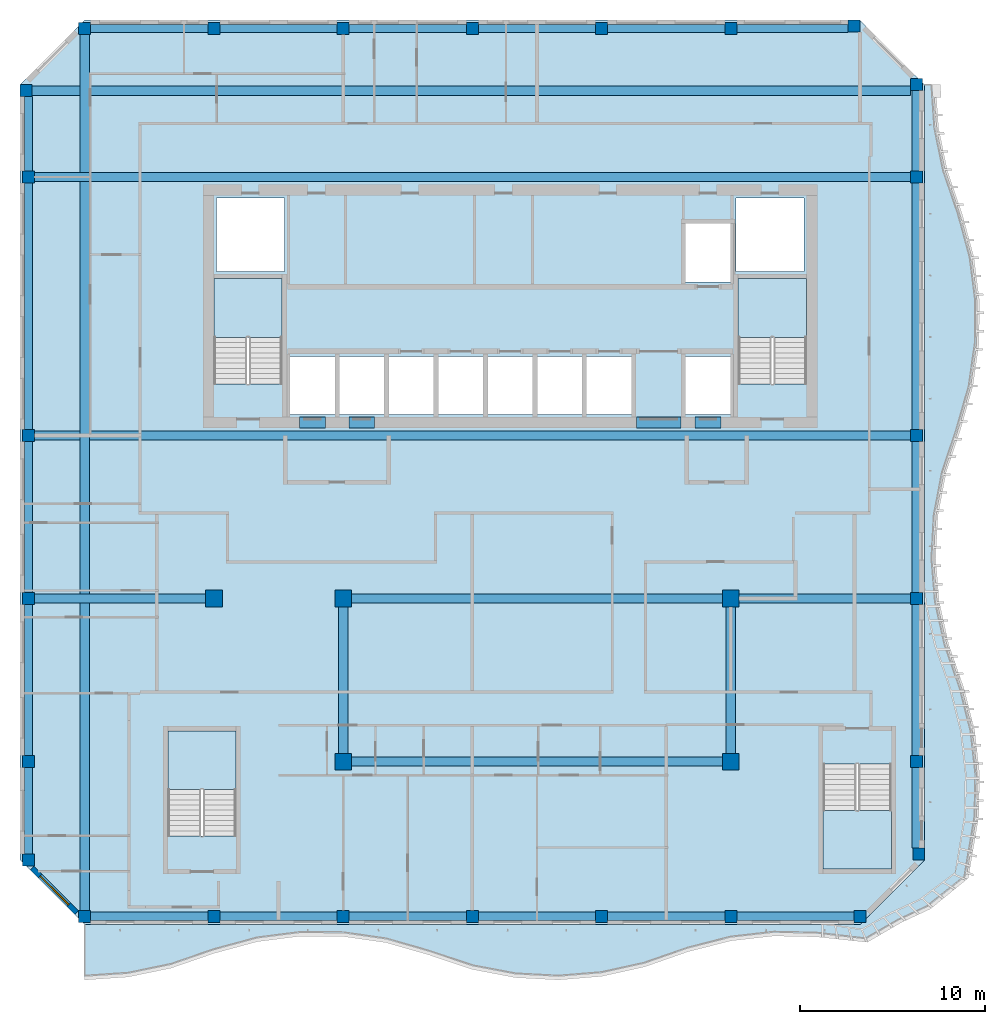
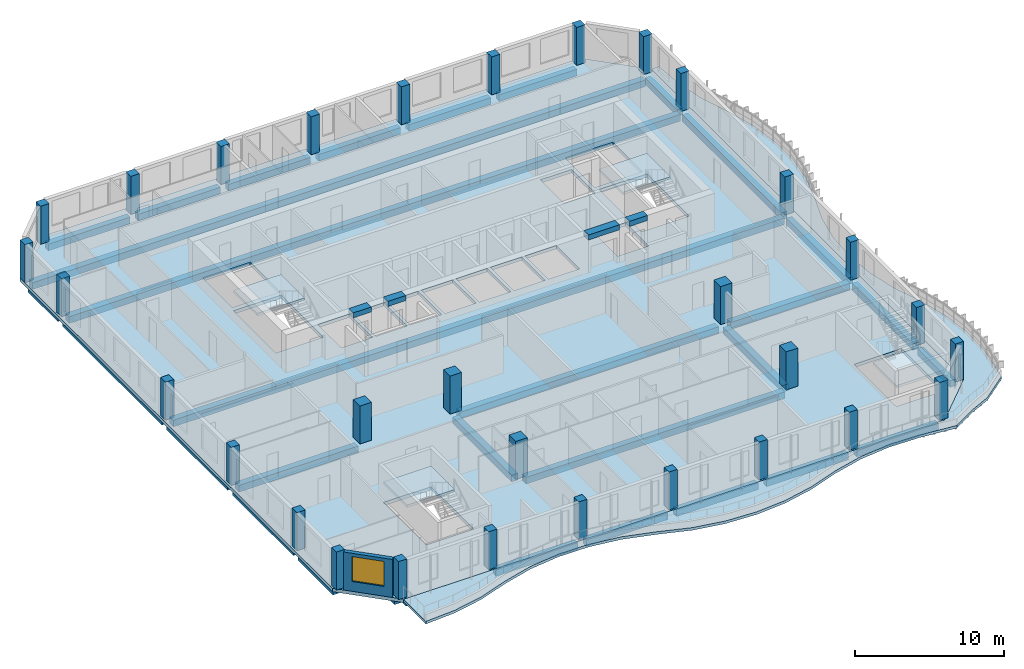
# One storey, part 1 of 18: 36 beams, 31 columns, 6 slabs, 1 wall, 1 window, 1 opening, 4 elements without a shape of their own.
"""IFC4 building model written with IfcOpenShell, lengths in metres."""

import ifcopenshell
import ifcopenshell.guid

model = None  # the IFC model being written
_history = None  # IfcOwnerHistory: only IFC2X3 demands one
_inside = {}  # id of a spatial element -> (the spatial element, [elements in it])
_under = {}  # id of a project, library or spatial element -> (it, [spatial elements below it])
_declared = {}  # id of a project -> (the project, [libraries it declares])
_typed = {}  # id of a type object -> (the type object, [elements of that type])
_made_of = {}  # id of a material, layer set ... -> (it, [elements and type objects made of it])


def new_model(schema):
    """Start an empty IFC model of exactly this schema.

    Asked for "IFC4X3", IfcOpenShell would pick the latest addendum, in which some entities
    have other attributes; the version numbers below select the first issue.
    IFC2X3 requires an IfcOwnerHistory on every rooted entity: one is made here for all.
    """
    global model, _history
    if schema == "IFC4X3":
        model = ifcopenshell.file(schema_version=(4, 3, 0, 0))
    else:
        model = ifcopenshell.file(schema=schema)
    _inside.clear()
    _under.clear()
    _declared.clear()
    _typed.clear()
    _made_of.clear()
    _history = None
    if model.schema == "IFC2X3":
        org = make("IfcOrganization", Name="unknown")
        user = make(
            "IfcPersonAndOrganization",
            ThePerson=make("IfcPerson", FamilyName="unknown"),
            TheOrganization=org,
        )
        app = make(
            "IfcApplication",
            ApplicationDeveloper=org,
            Version="unknown",
            ApplicationFullName="unknown",
            ApplicationIdentifier="unknown",
        )
        _history = make(
            "IfcOwnerHistory",
            OwningUser=user,
            OwningApplication=app,
            ChangeAction="ADDED",
            CreationDate=0,
        )
    return model


def make(cls, **values):
    """One entity of the class cls with the attributes given. An attribute that is None is left unset."""
    return model.create_entity(
        cls, **{name: value for name, value in values.items() if value is not None}
    )


def rooted(cls, **values):
    """An entity with a GlobalId (a new one), such as an element, a storey or a relation."""
    return make(cls, GlobalId=ifcopenshell.guid.new(), OwnerHistory=_history, **values)


def si_unit(unit_type, name, prefix=None):
    """IfcSIUnit, for example si_unit("LENGTHUNIT", "METRE", prefix="MILLI")."""
    return make("IfcSIUnit", UnitType=unit_type, Prefix=prefix, Name=name)


def assignment(units):
    """IfcUnitAssignment: the units of a project."""
    return None if units is None else make("IfcUnitAssignment", Units=units)


def point(xyz):
    """IfcCartesianPoint."""
    return None if xyz is None else make("IfcCartesianPoint", Coordinates=xyz)


def direction(xyz):
    """IfcDirection."""
    return None if xyz is None else make("IfcDirection", DirectionRatios=xyz)


def frame(location, z_axis=None, x_axis=None):
    """IfcAxis2Placement3D, a coordinate frame: its origin and axes. An axis left out is left unset."""
    return make(
        "IfcAxis2Placement3D",
        Location=point(location),
        Axis=direction(z_axis),
        RefDirection=direction(x_axis),
    )


def frame_2d(location, x_axis=None):
    """IfcAxis2Placement2D, a coordinate frame in the plane: its origin and x axis."""
    return make(
        "IfcAxis2Placement2D", Location=point(location), RefDirection=direction(x_axis)
    )


def origin():
    """The frame at (0, 0, 0) with its axes left unset."""
    return frame((0.0, 0.0, 0.0))


def origin_2d():
    """The frame at (0, 0) in the plane with its x axis left unset."""
    return frame_2d((0.0, 0.0))


def place(relative_to, where):
    """IfcLocalPlacement: puts the frame where relative to a parent placement (None: the world)."""
    return make(
        "IfcLocalPlacement", PlacementRelTo=relative_to, RelativePlacement=where
    )


def context(
    kind, dimensions, precision=None, world=None, true_north=None, identifier=None
):
    """IfcGeometricRepresentationContext, for example the 3D "Model" context."""
    return make(
        "IfcGeometricRepresentationContext",
        ContextIdentifier=identifier,
        ContextType=kind,
        CoordinateSpaceDimension=dimensions,
        Precision=precision,
        WorldCoordinateSystem=world,
        TrueNorth=true_north,
    )


def subcontext(parent, identifier, kind, view, scale=None):
    """IfcGeometricRepresentationSubContext, for example "Body" below "Model"."""
    return make(
        "IfcGeometricRepresentationSubContext",
        ContextIdentifier=identifier,
        ContextType=kind,
        ParentContext=parent,
        TargetScale=scale,
        TargetView=view,
    )


def project(units=None, contexts=None):
    """IfcProject with its units and contexts."""
    return rooted(
        "IfcProject",
        Name="project",
        RepresentationContexts=contexts,
        UnitsInContext=assignment(units),
    )


def spatial(cls, under=None, at=None, **own):
    """A site, building, storey or space (cls), placed at a placement, below another one or the project."""
    s = rooted(cls, ObjectPlacement=at, **own)
    if under is not None:
        _under.setdefault(under.id(), (under, []))[1].append(s)
    return s


def polyline(points):
    """IfcPolyline through the points."""
    return make("IfcPolyline", Points=[point(p) for p in points])


def profile(cls, at=None, kind="AREA", **sizes):
    """A parametric profile (cls). Its sizes go by their IFC names, for example OverallWidth=200.0."""
    return make(cls, ProfileType=kind, Position=at, **sizes)


def rectangle(**sizes):
    """IfcRectangleProfileDef."""
    return profile("IfcRectangleProfileDef", **sizes)


def outline(outer, holes=None, kind="AREA"):
    """IfcArbitraryClosedProfileDef: a profile drawn as a closed curve; with holes, ...WithVoids."""
    if holes is None:
        return make("IfcArbitraryClosedProfileDef", ProfileType=kind, OuterCurve=outer)
    return make(
        "IfcArbitraryProfileDefWithVoids",
        ProfileType=kind,
        OuterCurve=outer,
        InnerCurves=holes,
    )


def extrude(swept, where, along, depth):
    """IfcExtrudedAreaSolid: the profile swept, set in the frame where, extruded along a direction by depth."""
    return make(
        "IfcExtrudedAreaSolid",
        SweptArea=swept,
        Position=where,
        ExtrudedDirection=direction(along),
        Depth=depth,
    )


def shape(context_of_items, identifier, shape_type, items):
    """IfcShapeRepresentation: the items that make up one representation, for example the "Body"."""
    return make(
        "IfcShapeRepresentation",
        ContextOfItems=context_of_items,
        RepresentationIdentifier=identifier,
        RepresentationType=shape_type,
        Items=items,
    )


def source(mapping_origin, context_of_items, identifier, shape_type, items):
    """IfcRepresentationMap: a shape defined once, which mapped items show again and again."""
    return make(
        "IfcRepresentationMap",
        MappingOrigin=mapping_origin,
        MappedRepresentation=shape(context_of_items, identifier, shape_type, items),
    )


def transform(
    local_origin,
    x_axis=None,
    y_axis=None,
    z_axis=None,
    scale=None,
    scale2=None,
    scale3=None,
    uniform=True,
):
    """IfcCartesianTransformationOperator3D, or its non-uniform kind. x_axis, y_axis, z_axis: its Axis1, 2, 3."""
    if uniform:
        return make(
            "IfcCartesianTransformationOperator3D",
            Axis1=direction(x_axis),
            Axis2=direction(y_axis),
            LocalOrigin=point(local_origin),
            Scale=scale,
            Axis3=direction(z_axis),
        )
    return make(
        "IfcCartesianTransformationOperator3DnonUniform",
        Axis1=direction(x_axis),
        Axis2=direction(y_axis),
        LocalOrigin=point(local_origin),
        Scale=scale,
        Axis3=direction(z_axis),
        Scale2=scale2,
        Scale3=scale3,
    )


def mapped(mapping_source, mapping_target):
    """IfcMappedItem: shows the shape of a source again, moved by a transform."""
    return make(
        "IfcMappedItem", MappingSource=mapping_source, MappingTarget=mapping_target
    )


def material(Name=None, Category=None):
    """IfcMaterial."""
    return make("IfcMaterial", Name=Name, Category=Category)


def layer(
    of_material, thickness, ventilated=None, Name=None, Category=None, Priority=None
):
    """IfcMaterialLayer: one layer of a wall or slab, of a material (None: an air gap)."""
    return make(
        "IfcMaterialLayer",
        Material=of_material,
        LayerThickness=thickness,
        IsVentilated=ventilated,
        Name=Name,
        Category=Category,
        Priority=Priority,
    )


def layer_set(layers, Name=None):
    """IfcMaterialLayerSet."""
    return make("IfcMaterialLayerSet", MaterialLayers=layers, LayerSetName=Name)


def material_profile(
    of_material, cross_section, Name=None, Category=None, Priority=None
):
    """IfcMaterialProfile: a cross section and its material."""
    return make(
        "IfcMaterialProfile",
        Name=Name,
        Material=of_material,
        Profile=cross_section,
        Priority=Priority,
        Category=Category,
    )


def profile_set(profiles, Name=None, composite=None):
    """IfcMaterialProfileSet."""
    return make(
        "IfcMaterialProfileSet",
        Name=Name,
        MaterialProfiles=profiles,
        CompositeProfile=composite,
    )


def made_of(thing, what):
    """Note that an element or type object is made of a material, layer set ...; save() writes the relation."""
    if what is not None:
        _made_of.setdefault(what.id(), (what, []))[1].append(thing)
    return thing


def type_object(cls, material=None, **own):
    """A type object (cls), such as IfcWallType, which elements share."""
    return made_of(rooted(cls, **own), material)


def element(
    cls,
    number,
    at=None,
    inside=None,
    cuts=None,
    type_object=None,
    material=None,
    context=None,
    identifier="Body",
    shape_type=None,
    held_by="IfcProductDefinitionShape",
    body=None,
    shapes=None,
    **own,
):
    """One element of the class cls, such as IfcWall. Its Tag is "e" and its number.

    at: its placement. inside: the storey or other place that contains it. cuts: it is an
    opening in that element (IfcRelVoidsElement). A single representation is given by context,
    identifier, shape_type and body (its items); several are given by shapes. held_by: the class
    of the entity that holds the representations. save() writes the other relations.
    """
    e = rooted(cls, Tag="e%d" % number, ObjectPlacement=at, **own)
    if body is not None:
        shapes = [shape(context, identifier, shape_type, body)]
    if shapes is not None:
        e.Representation = make(held_by, Representations=shapes)
    if inside is not None:
        _inside.setdefault(inside.id(), (inside, []))[1].append(e)
    if cuts is not None:
        rooted(
            "IfcRelVoidsElement", RelatingBuildingElement=cuts, RelatedOpeningElement=e
        )
    if type_object is not None:
        _typed.setdefault(type_object.id(), (type_object, []))[1].append(e)
    return made_of(e, material)


def fill(opening, filler):
    """IfcRelFillsElement: the door or window that sits in an opening."""
    return rooted(
        "IfcRelFillsElement",
        RelatingOpeningElement=opening,
        RelatedBuildingElement=filler,
    )


def aggregate(whole, parts):
    """IfcRelAggregates: a whole, such as a stair, and the parts it consists of."""
    return rooted("IfcRelAggregates", RelatingObject=whole, RelatedObjects=parts)


def save(model, path):
    """Write the relations noted so far, then the file.

    IfcRelAggregates (storeys below a building ...), IfcRelContainedInSpatialStructure (elements
    in a storey), IfcRelDefinesByType, IfcRelAssociatesMaterial and IfcRelDeclares: one each for
    every whole, place, type object, material and project.
    """
    for whole, parts in _under.values():
        aggregate(whole, parts)
    for where, things in _inside.values():
        rooted(
            "IfcRelContainedInSpatialStructure",
            RelatedElements=things,
            RelatingStructure=where,
        )
    for kind, things in _typed.values():
        rooted("IfcRelDefinesByType", RelatedObjects=things, RelatingType=kind)
    for what, things in _made_of.values():
        rooted("IfcRelAssociatesMaterial", RelatedObjects=things, RelatingMaterial=what)
    for by, libraries in _declared.values():
        rooted("IfcRelDeclares", RelatingContext=by, RelatedDefinitions=libraries)
    model.write(path)


model = new_model("IFC4")

# Units and contexts
model_context = context("Model", 3, precision=1e-05, world=origin(), true_north=direction((0.0, 1.0)))
body_context = subcontext(model_context, "Body", "Model", "MODEL_VIEW")
ifc_project = project(units=[si_unit("LENGTHUNIT", "METRE"), si_unit("AREAUNIT", "SQUARE_METRE"), si_unit("VOLUMEUNIT", "CUBIC_METRE"), si_unit("PLANEANGLEUNIT", "RADIAN"), si_unit("MASSUNIT", "GRAM", prefix="KILO")], contexts=[model_context])

# Site, building, storey
site_placement = place(None, origin())
site = spatial("IfcSite", under=ifc_project, at=site_placement, CompositionType="ELEMENT")
building_placement = place(site_placement, origin())
building = spatial("IfcBuilding", under=site, at=building_placement, Name="Kilnfold Tower and Market Hall", CompositionType="ELEMENT")
storey_placement = place(building_placement, frame((0.0, 0.0, 277.199951171875)))
storey = spatial("IfcBuildingStorey", under=building, at=storey_placement, Name="L68", CompositionType="ELEMENT", Elevation=277.199951171875)

# Columns
ifc_material_1 = material(Name="Concrete C60", Category="concrete")
ifc_material_profile_1 = material_profile(ifc_material_1, rectangle(XDim=0.64990234375, YDim=0.64990234375, at=origin_2d()), Name="RC 650x650")
ifc_profile_set_1 = profile_set([ifc_material_profile_1], Name="Concrete C60")
column_type_1 = type_object("IfcColumnType", Name="COLUMN 650X650 C60", PredefinedType="COLUMN", material=ifc_profile_set_1)
shared_shape_1 = source(origin(), body_context, "Body", "SweptSolid", [
    extrude(rectangle(XDim=0.64990234375, YDim=0.64990234375, at=origin_2d()), origin(), (0.0, 0.0, 1.0), 3.1201171875),
])
for number, where, z_axis, x_axis, name in (
    (1, (-25.181884765625, 26.681884765625, 0.0), (0.0, 0.0, 1.0), (1.0, 0.0, 0.0), "Column C-B8-1G"),
    (2, (-25.050048828125, -15.0, 0.0), (0.0, 0.0, 1.0), (1.0, 0.0, 0.0), "Column C-B8-1B"),
    (3, (-25.050048828125, -9.666748046875, 0.0), (0.0, 0.0, 1.0), (1.0, 0.0, 0.0), "Column C-B8-1C"),
    (4, (-25.050048828125, -0.833251953125, 0.0), (0.0, 0.0, 1.0), (1.0, 0.0, 0.0), "Column C-B8-1D"),
    (5, (-25.050048828125, 8.0, 0.0), (0.0, 0.0, 1.0), (1.0, 0.0, 0.0), "Column C-B8-1E"),
    (6, (-25.050048828125, 22.0, 0.0), (0.0, 0.0, 1.0), (1.0, 0.0, 0.0), "Column C-B8-1F"),
    (7, (-22.0, -18.050048828125, 0.0), (0.0, 0.0, 1.0), (1.0, 0.0, 0.0), "Column C-B8-2A"),
    (8, (-22.0, 30.050048828125, 0.0), (0.0, 0.0, 1.0), (1.0, 0.0, 0.0), "Column C-B8-2H"),
    (9, (-15.0, -18.050048828125, 0.0), (0.0, 0.0, 1.0), (1.0, 0.0, 0.0), "Column C-B8-3A"),
    (10, (-15.0, 30.050048828125, 0.0), (0.0, 0.0, 1.0), (1.0, 0.0, 0.0), "Column C-B8-3H"),
    (11, (-8.0, -18.050048828125, 0.0), (0.0, 0.0, 1.0), (1.0, 0.0, 0.0), "Column C-B8-4A"),
    (12, (-8.0, 30.050048828125, 0.0), (0.0, 0.0, 1.0), (1.0, 0.0, 0.0), "Column C-B8-4H"),
    (13, (-1.0, -18.050048828125, 0.0), (0.0, 0.0, 1.0), (1.0, 0.0, 0.0), "Column C-B8-5A"),
    (14, (-1.0, 30.050048828125, 0.0), (0.0, 0.0, 1.0), (1.0, 0.0, 0.0), "Column C-B8-5H"),
    (15, (6.0, -18.050048828125, 0.0), (0.0, 0.0, 1.0), (1.0, 0.0, 0.0), "Column C-B8-6A"),
    (16, (6.0, 30.050048828125, 0.0), (0.0, 0.0, 1.0), (1.0, 0.0, 0.0), "Column C-B8-6H"),
    (17, (13.0, -18.050048828125, 0.0), (0.0, 0.0, 1.0), (1.0, 0.0, 0.0), "Column C-B8-7A"),
    (18, (13.0, 30.050048828125, 0.0), (0.0, 0.0, 1.0), (1.0, 0.0, 0.0), "Column C-B8-7H"),
    (19, (19.681884765625, 30.181884765625, 0.0), (0.0, 0.0, 1.0), (1.0, 0.0, 0.0), "Column C-B8-8H"),
    (20, (20.0, -18.050048828125, 0.0), (0.0, 0.0, 1.0), (1.0, 0.0, 0.0), "Column C-B8-8A"),
    (21, (23.050048828125, -9.666748046875, 0.0), (0.0, 0.0, 1.0), (1.0, 0.0, 0.0), "Column C-B8-9C"),
    (22, (23.050048828125, -0.833251953125, 0.0), (0.0, 0.0, 1.0), (1.0, 0.0, 0.0), "Column C-B8-9D"),
    (23, (23.050048828125, 8.0, 0.0), (0.0, 0.0, 1.0), (1.0, 0.0, 0.0), "Column C-B8-9E"),
    (24, (23.050048828125, 22.0, 0.0), (0.0, 0.0, 1.0), (1.0, 0.0, 0.0), "Column C-B8-9F"),
    (25, (23.050048828125, 27.0, 0.0), (0.0, 0.0, 1.0), (1.0, 0.0, 0.0), "Column C-B8-9G"),
    (26, (23.181884765625, -14.681884765625, 0.0), (0.0, 0.0, 1.0), (1.0, 0.0, 0.0), "Column C-B8-9B"),
):
    element("IfcColumn", number, at=place(storey_placement, frame(where, z_axis=z_axis, x_axis=x_axis)), inside=storey, type_object=column_type_1, Name=name, PredefinedType="COLUMN", context=body_context, shape_type="MappedRepresentation", body=[
        mapped(shared_shape_1, transform((0.0, 0.0, 0.0))),
    ])
ifc_material_2 = material(Name="Concrete C60", Category="concrete")
ifc_material_profile_2 = material_profile(ifc_material_2, rectangle(XDim=0.89990234375, YDim=0.89990234375, at=origin_2d()), Name="RC 900x900")
ifc_profile_set_2 = profile_set([ifc_material_profile_2], Name="Concrete C60")
column_type_2 = type_object("IfcColumnType", Name="COLUMN 900X900 C60", PredefinedType="COLUMN", material=ifc_profile_set_2)
shared_shape_2 = source(origin(), body_context, "Body", "SweptSolid", [
    extrude(rectangle(XDim=0.89990234375, YDim=0.89990234375, at=origin_2d()), origin(), (0.0, 0.0, 1.0), 3.1201171875),
])
for number, where, z_axis, x_axis, name in (
    (27, (-15.0, -0.833251953125, 0.0), (0.0, 0.0, 1.0), (1.0, 0.0, 0.0), "Column C-B8-3D"),
    (28, (-8.0, -9.666748046875, 0.0), (0.0, 0.0, 1.0), (1.0, 0.0, 0.0), "Column C-B8-4C"),
    (29, (-8.0, -0.833251953125, 0.0), (0.0, 0.0, 1.0), (1.0, 0.0, 0.0), "Column C-B8-4D"),
    (30, (13.0, -9.666748046875, 0.0), (0.0, 0.0, 1.0), (1.0, 0.0, 0.0), "Column C-B8-7C"),
    (31, (13.0, -0.833251953125, 0.0), (0.0, 0.0, 1.0), (1.0, 0.0, 0.0), "Column C-B8-7D"),
):
    element("IfcColumn", number, at=place(storey_placement, frame(where, z_axis=z_axis, x_axis=x_axis)), inside=storey, type_object=column_type_2, Name=name, PredefinedType="COLUMN", context=body_context, shape_type="MappedRepresentation", body=[
        mapped(shared_shape_2, transform((0.0, 0.0, 0.0))),
    ])

# Beams
ifc_material_3 = material(Name="Concrete C50", Category="concrete")
ifc_material_profile_3 = material_profile(ifc_material_3, rectangle(XDim=0.60009765625, YDim=0.419921875, at=origin_2d()), Name="RC 600x420")
ifc_profile_set_3 = profile_set([ifc_material_profile_3], Name="Concrete C50")
beam_type_1 = type_object("IfcBeamType", Name="COUPLING BEAM 600X420 C50", PredefinedType="BEAM", material=ifc_profile_set_3)
shared_shape_3 = source(origin(), body_context, "Body", "SweptSolid", [
    extrude(rectangle(XDim=0.60009765625, YDim=0.419921875, at=origin_2d()), origin(), (0.0, 0.0, 1.0), 1.400146484375),
])
beam_1_placement = place(storey_placement, frame((-10.3701171875, 8.699951171875, 2.91015625), z_axis=(1.0, 0.0, 0.0), x_axis=(0.0, 1.0, 0.0)))
element("IfcBeam", 32, at=beam_1_placement, inside=storey, type_object=beam_type_1, Name="Coupling beam CB420-50-CORE.30", PredefinedType="BEAM", context=body_context, shape_type="MappedRepresentation", body=[
    mapped(shared_shape_3, transform((0.0, 0.0, 0.0))),
])
shared_shape_4 = source(origin(), body_context, "Body", "SweptSolid", [
    extrude(rectangle(XDim=0.60009765625, YDim=0.419921875, at=origin_2d()), origin(), (0.0, 0.0, 1.0), 1.39990234375),
])
for number, where, z_axis, x_axis, name in (
    (33, (-7.68994140625, 8.699951171875, 2.91015625), (1.0, 0.0, 0.0), (0.0, 1.0, 0.0), "Coupling beam CB420-50-CORE.31"),
    (34, (11.070068359375, 8.699951171875, 2.91015625), (1.0, 0.0, 0.0), (0.0, 1.0, 0.0), "Coupling beam CB420-50-CORE.33"),
):
    element("IfcBeam", number, at=place(storey_placement, frame(where, z_axis=z_axis, x_axis=x_axis)), inside=storey, type_object=beam_type_1, Name=name, PredefinedType="BEAM", context=body_context, shape_type="MappedRepresentation", body=[
        mapped(shared_shape_4, transform((0.0, 0.0, 0.0))),
    ])
shared_shape_5 = source(origin(), body_context, "Body", "SweptSolid", [
    extrude(rectangle(XDim=0.60009765625, YDim=0.419921875, at=origin_2d()), origin(), (0.0, 0.0, 1.0), 2.400146484375),
])
beam_2_placement = place(storey_placement, frame((7.889892578125, 8.699951171875, 2.91015625), z_axis=(1.0, 0.0, 0.0), x_axis=(0.0, 1.0, 0.0)))
element("IfcBeam", 35, at=beam_2_placement, inside=storey, type_object=beam_type_1, Name="Coupling beam CB420-50-CORE.32", PredefinedType="BEAM", context=body_context, shape_type="MappedRepresentation", body=[
    mapped(shared_shape_5, transform((0.0, 0.0, 0.0))),
])
ifc_material_4 = material(Name="Concrete C45", Category="concrete")
ifc_material_profile_4 = material_profile(ifc_material_4, rectangle(XDim=0.449951171875, YDim=0.550048828125, at=origin_2d()), Name="RC 450x550")
ifc_profile_set_4 = profile_set([ifc_material_profile_4], Name="Concrete C45")
beam_type_2 = type_object("IfcBeamType", Name="EDGE BEAM 450X550 C45", PredefinedType="BEAM", material=ifc_profile_set_4)
shared_shape_6 = source(origin(), body_context, "Body", "SweptSolid", [
    extrude(rectangle(XDim=0.449951171875, YDim=0.550048828125, at=origin_2d()), origin(), (0.0, 0.0, 1.0), 6.35009765625),
])
for number, where, z_axis, x_axis, name in (
    (36, (-21.675048828125, -18.050048828125, -0.554931640625), (1.0, 0.0, 0.0), (0.0, 1.0, 0.0), "Beam EB550-B8.31"),
    (37, (-14.675048828125, -18.050048828125, -0.554931640625), (1.0, 0.0, 0.0), (0.0, 1.0, 0.0), "Beam EB550-B8.32"),
    (38, (-7.675048828125, -18.050048828125, -0.554931640625), (1.0, 0.0, 0.0), (0.0, 1.0, 0.0), "Beam EB550-B8.33"),
    (39, (-0.675048828125, -18.050048828125, -0.554931640625), (1.0, 0.0, 0.0), (0.0, 1.0, 0.0), "Beam EB550-B8.34"),
    (40, (6.324951171875, -18.050048828125, -0.554931640625), (1.0, 0.0, 0.0), (0.0, 1.0, 0.0), "Beam EB550-B8.35"),
    (41, (13.324951171875, -18.050048828125, -0.554931640625), (1.0, 0.0, 0.0), (0.0, 1.0, 0.0), "Beam EB550-B8.36"),
    (42, (-21.675048828125, 30.050048828125, -0.554931640625), (1.0, 0.0, 0.0), (0.0, 1.0, 0.0), "Beam EB550-B8.44"),
    (43, (-14.675048828125, 30.050048828125, -0.554931640625), (1.0, 0.0, 0.0), (0.0, 1.0, 0.0), "Beam EB550-B8.45"),
    (44, (-7.675048828125, 30.050048828125, -0.554931640625), (1.0, 0.0, 0.0), (0.0, 1.0, 0.0), "Beam EB550-B8.46"),
    (45, (-0.675048828125, 30.050048828125, -0.554931640625), (1.0, 0.0, 0.0), (0.0, 1.0, 0.0), "Beam EB550-B8.47"),
    (46, (6.324951171875, 30.050048828125, -0.554931640625), (1.0, 0.0, 0.0), (0.0, 1.0, 0.0), "Beam EB550-B8.48"),
):
    element("IfcBeam", number, at=place(storey_placement, frame(where, z_axis=z_axis, x_axis=x_axis)), inside=storey, type_object=beam_type_2, Name=name, PredefinedType="BEAM", context=body_context, shape_type="MappedRepresentation", body=[
        mapped(shared_shape_6, transform((0.0, 0.0, 0.0))),
    ])
ifc_material_5 = material(Name="Concrete C45", Category="concrete")
ifc_material_profile_5 = material_profile(ifc_material_5, rectangle(XDim=0.5, YDim=0.550048828125, at=origin_2d()), Name="RC 500x550")
ifc_profile_set_5 = profile_set([ifc_material_profile_5], Name="Concrete C45")
beam_type_3 = type_object("IfcBeamType", Name="BEAM 500X550 C45", PredefinedType="BEAM", material=ifc_profile_set_5)
shared_shape_7 = source(origin(), body_context, "Body", "SweptSolid", [
    extrude(rectangle(XDim=0.5, YDim=0.550048828125, at=origin_2d()), origin(), (0.0, 0.0, 1.0), 20.10009765625),
])
for number, where, z_axis, x_axis, name in (
    (47, (-7.550048828125, -9.669921875, -0.554931640625), (1.0, 0.0, 0.0), (0.0, 1.0, 0.0), "Beam BB550-B8.37"),
    (48, (-7.550048828125, -0.830078125, -0.554931640625), (1.0, 0.0, 0.0), (0.0, 1.0, 0.0), "Beam BB550-B8.39"),
):
    element("IfcBeam", number, at=place(storey_placement, frame(where, z_axis=z_axis, x_axis=x_axis)), inside=storey, type_object=beam_type_3, Name=name, PredefinedType="BEAM", context=body_context, shape_type="MappedRepresentation", body=[
        mapped(shared_shape_7, transform((0.0, 0.0, 0.0))),
    ])
shared_shape_8 = source(origin(), body_context, "Body", "SweptSolid", [
    extrude(rectangle(XDim=0.5, YDim=0.550048828125, at=origin_2d()), origin(), (0.0, 0.0, 1.0), 9.275146484375),
])
for number, where, z_axis, x_axis, name in (
    (49, (-24.72509765625, -0.830078125, -0.554931640625), (1.0, 0.0, 0.0), (0.0, 1.0, 0.0), "Beam BB550-B8.38"),
    (50, (13.449951171875, -0.830078125, -0.554931640625), (1.0, 0.0, 0.0), (0.0, 1.0, 0.0), "Beam BB550-B8.40"),
):
    element("IfcBeam", number, at=place(storey_placement, frame(where, z_axis=z_axis, x_axis=x_axis)), inside=storey, type_object=beam_type_3, Name=name, PredefinedType="BEAM", context=body_context, shape_type="MappedRepresentation", body=[
        mapped(shared_shape_8, transform((0.0, 0.0, 0.0))),
    ])
shared_shape_9 = source(origin(), body_context, "Body", "SweptSolid", [
    extrude(rectangle(XDim=0.5, YDim=0.550048828125, at=origin_2d()), origin(), (0.0, 0.0, 1.0), 47.4501953125),
])
for number, where, z_axis, x_axis, name in (
    (51, (-24.72509765625, 8.0, -0.554931640625), (1.0, 0.0, 0.0), (0.0, 1.0, 0.0), "Beam BB550-B8.41"),
    (52, (-24.72509765625, 22.0, -0.554931640625), (1.0, 0.0, 0.0), (0.0, 1.0, 0.0), "Beam BB550-B8.42"),
    (53, (-22.0, -17.72509765625, -0.554931640625), (0.0, 1.0, 0.0), (-1.0, 0.0, 0.0), "Beam BB550-B8.55"),
):
    element("IfcBeam", number, at=place(storey_placement, frame(where, z_axis=z_axis, x_axis=x_axis)), inside=storey, type_object=beam_type_3, Name=name, PredefinedType="BEAM", context=body_context, shape_type="MappedRepresentation", body=[
        mapped(shared_shape_9, transform((0.0, 0.0, 0.0))),
    ])
shared_shape_10 = source(origin(), body_context, "Body", "SweptSolid", [
    extrude(rectangle(XDim=0.5, YDim=0.550048828125, at=origin_2d()), origin(), (0.0, 0.0, 1.0), 47.581787109375),
])
beam_3_placement = place(storey_placement, frame((-24.856689453125, 26.679931640625, -0.554931640625), z_axis=(1.0, 0.0, 0.0), x_axis=(0.0, 1.0, 0.0)))
element("IfcBeam", 54, at=beam_3_placement, inside=storey, type_object=beam_type_3, Name="Beam BB550-B8.43", PredefinedType="BEAM", context=body_context, shape_type="MappedRepresentation", body=[
    mapped(shared_shape_10, transform((0.0, 0.0, 0.0))),
])
shared_shape_11 = source(origin(), body_context, "Body", "SweptSolid", [
    extrude(rectangle(XDim=0.449951171875, YDim=0.550048828125, at=origin_2d()), origin(), (0.0, 0.0, 1.0), 6.03173828125),
])
beam_4_placement = place(storey_placement, frame((13.324951171875, 30.050048828125, -0.554931640625), z_axis=(1.0, 0.0, 0.0), x_axis=(0.0, 1.0, 0.0)))
element("IfcBeam", 55, at=beam_4_placement, inside=storey, type_object=beam_type_2, Name="Beam EB550-B8.49", PredefinedType="BEAM", context=body_context, shape_type="MappedRepresentation", body=[
    mapped(shared_shape_11, transform((0.0, 0.0, 0.0))),
])
shared_shape_12 = source(origin(), body_context, "Body", "SweptSolid", [
    extrude(rectangle(XDim=0.449951171875, YDim=0.550048828125, at=origin_2d()), origin(), (0.0, 0.0, 1.0), 4.683349609375),
])
beam_5_placement = place(storey_placement, frame((-25.050048828125, -14.675048828125, -0.554931640625), z_axis=(0.0, 1.0, 0.0), x_axis=(-1.0, 0.0, 0.0)))
element("IfcBeam", 56, at=beam_5_placement, inside=storey, type_object=beam_type_2, Name="Beam EB550-B8.50", PredefinedType="BEAM", context=body_context, shape_type="MappedRepresentation", body=[
    mapped(shared_shape_12, transform((0.0, 0.0, 0.0))),
])
shared_shape_13 = source(origin(), body_context, "Body", "SweptSolid", [
    extrude(rectangle(XDim=0.449951171875, YDim=0.550048828125, at=origin_2d()), origin(), (0.0, 0.0, 1.0), 8.18359375),
])
for number, where, z_axis, x_axis, name in (
    (57, (-25.050048828125, -9.341796875, -0.554931640625), (0.0, 1.0, 0.0), (-1.0, 0.0, 0.0), "Beam EB550-B8.51"),
    (58, (23.050048828125, -9.341796875, -0.554931640625), (0.0, 1.0, 0.0), (-1.0, 0.0, 0.0), "Beam EB550-B8.57"),
):
    element("IfcBeam", number, at=place(storey_placement, frame(where, z_axis=z_axis, x_axis=x_axis)), inside=storey, type_object=beam_type_2, Name=name, PredefinedType="BEAM", context=body_context, shape_type="MappedRepresentation", body=[
        mapped(shared_shape_13, transform((0.0, 0.0, 0.0))),
    ])
shared_shape_14 = source(origin(), body_context, "Body", "SweptSolid", [
    extrude(rectangle(XDim=0.449951171875, YDim=0.550048828125, at=origin_2d()), origin(), (0.0, 0.0, 1.0), 8.183349609375),
])
for number, where, z_axis, x_axis, name in (
    (59, (-25.050048828125, -0.50830078125, -0.554931640625), (0.0, 1.0, 0.0), (-1.0, 0.0, 0.0), "Beam EB550-B8.52"),
    (60, (23.050048828125, -0.50830078125, -0.554931640625), (0.0, 1.0, 0.0), (-1.0, 0.0, 0.0), "Beam EB550-B8.58"),
):
    element("IfcBeam", number, at=place(storey_placement, frame(where, z_axis=z_axis, x_axis=x_axis)), inside=storey, type_object=beam_type_2, Name=name, PredefinedType="BEAM", context=body_context, shape_type="MappedRepresentation", body=[
        mapped(shared_shape_14, transform((0.0, 0.0, 0.0))),
    ])
shared_shape_15 = source(origin(), body_context, "Body", "SweptSolid", [
    extrude(rectangle(XDim=0.449951171875, YDim=0.550048828125, at=origin_2d()), origin(), (0.0, 0.0, 1.0), 13.35009765625),
])
for number, where, z_axis, x_axis, name in (
    (61, (-25.050048828125, 8.324951171875, -0.554931640625), (0.0, 1.0, 0.0), (-1.0, 0.0, 0.0), "Beam EB550-B8.53"),
    (62, (23.050048828125, 8.324951171875, -0.554931640625), (0.0, 1.0, 0.0), (-1.0, 0.0, 0.0), "Beam EB550-B8.59"),
):
    element("IfcBeam", number, at=place(storey_placement, frame(where, z_axis=z_axis, x_axis=x_axis)), inside=storey, type_object=beam_type_2, Name=name, PredefinedType="BEAM", context=body_context, shape_type="MappedRepresentation", body=[
        mapped(shared_shape_15, transform((0.0, 0.0, 0.0))),
    ])
shared_shape_16 = source(origin(), body_context, "Body", "SweptSolid", [
    extrude(rectangle(XDim=0.449951171875, YDim=0.550048828125, at=origin_2d()), origin(), (0.0, 0.0, 1.0), 4.03173828125),
])
beam_6_placement = place(storey_placement, frame((-25.050048828125, 22.324951171875, -0.554931640625), z_axis=(0.0, 1.0, 0.0), x_axis=(-1.0, 0.0, 0.0)))
element("IfcBeam", 63, at=beam_6_placement, inside=storey, type_object=beam_type_2, Name="Beam EB550-B8.54", PredefinedType="BEAM", context=body_context, shape_type="MappedRepresentation", body=[
    mapped(shared_shape_16, transform((0.0, 0.0, 0.0))),
])
shared_shape_17 = source(origin(), body_context, "Body", "SweptSolid", [
    extrude(rectangle(XDim=0.5, YDim=0.550048828125, at=origin_2d()), origin(), (0.0, 0.0, 1.0), 7.93359375),
])
for number, where, z_axis, x_axis, name in (
    (64, (-8.0, -9.216796875, -0.554931640625), (0.0, 1.0, 0.0), (-1.0, 0.0, 0.0), "Beam BB550-B8.24"),
    (65, (13.0, -9.216796875, -0.554931640625), (0.0, 1.0, 0.0), (-1.0, 0.0, 0.0), "Beam BB550-B8.25"),
):
    element("IfcBeam", number, at=place(storey_placement, frame(where, z_axis=z_axis, x_axis=x_axis)), inside=storey, type_object=beam_type_3, Name=name, PredefinedType="BEAM", context=body_context, shape_type="MappedRepresentation", body=[
        mapped(shared_shape_17, transform((0.0, 0.0, 0.0))),
    ])
shared_shape_18 = source(origin(), body_context, "Body", "SweptSolid", [
    extrude(rectangle(XDim=0.449951171875, YDim=0.550048828125, at=origin_2d()), origin(), (0.0, 0.0, 1.0), 4.364990234375),
])
beam_7_placement = place(storey_placement, frame((23.050048828125, -14.356689453125, -0.554931640625), z_axis=(0.0, 1.0, 0.0), x_axis=(-1.0, 0.0, 0.0)))
element("IfcBeam", 66, at=beam_7_placement, inside=storey, type_object=beam_type_2, Name="Beam EB550-B8.56", PredefinedType="BEAM", context=body_context, shape_type="MappedRepresentation", body=[
    mapped(shared_shape_18, transform((0.0, 0.0, 0.0))),
])
shared_shape_19 = source(origin(), body_context, "Body", "SweptSolid", [
    extrude(rectangle(XDim=0.449951171875, YDim=0.550048828125, at=origin_2d()), origin(), (0.0, 0.0, 1.0), 4.35009765625),
])
beam_8_placement = place(storey_placement, frame((23.050048828125, 22.324951171875, -0.554931640625), z_axis=(0.0, 1.0, 0.0), x_axis=(-1.0, 0.0, 0.0)))
element("IfcBeam", 67, at=beam_8_placement, inside=storey, type_object=beam_type_2, Name="Beam EB550-B8.60", PredefinedType="BEAM", context=body_context, shape_type="MappedRepresentation", body=[
    mapped(shared_shape_19, transform((0.0, 0.0, 0.0))),
])

# Slabs
ifc_material_6 = material(Name="Concrete C45", Category="concrete")
ifc_layer_1 = layer(ifc_material_6, 0.280029296875)
ifc_layer_set_1 = layer_set([ifc_layer_1], Name="Concrete C45")
slab_type_1 = type_object("IfcSlabType", Name="FLOOR SLAB 280", PredefinedType="FLOOR", material=ifc_layer_set_1)
shared_shape_20 = source(origin(), body_context, "Body", "SweptSolid", [
    extrude(outline(polyline([(-22.0, -18.5), (20.0, -18.5), (23.5, -15.0), (23.5, 27.0), (20.0, 30.5), (-22.0, 30.5), (-25.5, 27.0), (-25.5, -15.0), (-22.0, -18.5)]), holes=[polyline([(-13.800537109375, -8.00048828125), (-13.800537109375, -13.699462890625), (-17.49951171875, -13.699462890625), (-17.49951171875, -8.00048828125), (-13.800537109375, -8.00048828125)]), polyline([(-11.300537109375, 10.800537109375), (-14.99951171875, 10.800537109375), (-14.99951171875, 16.49951171875), (-11.300537109375, 16.49951171875), (-11.300537109375, 10.800537109375)]), polyline([(-11.175048828125, 16.875), (-14.875, 16.875), (-14.875, 20.875), (-11.175048828125, 20.875), (-11.175048828125, 16.875)]), polyline([(-8.455078125, 9.125), (-10.885009765625, 9.125), (-10.885009765625, 12.27490234375), (-8.455078125, 12.27490234375), (-8.455078125, 9.125)]), polyline([(-5.77490234375, 9.125), (-8.205078125, 9.125), (-8.205078125, 12.27490234375), (-5.77490234375, 12.27490234375), (-5.77490234375, 9.125)]), polyline([(-3.094970703125, 9.125), (-5.52490234375, 9.125), (-5.52490234375, 12.27490234375), (-3.094970703125, 12.27490234375), (-3.094970703125, 9.125)]), polyline([(-0.4150390625, 9.125), (-2.844970703125, 9.125), (-2.844970703125, 12.27490234375), (-0.4150390625, 12.27490234375), (-0.4150390625, 9.125)]), polyline([(2.264892578125, 9.125), (-0.1650390625, 9.125), (-0.1650390625, 12.27490234375), (2.264892578125, 12.27490234375), (2.264892578125, 9.125)]), polyline([(4.945068359375, 9.125), (2.514892578125, 9.125), (2.514892578125, 12.27490234375), (4.945068359375, 12.27490234375), (4.945068359375, 9.125)]), polyline([(7.625, 9.125), (5.195068359375, 9.125), (5.195068359375, 12.27490234375), (7.625, 12.27490234375), (7.625, 9.125)]), polyline([(12.985107421875, 9.125), (10.554931640625, 9.125), (10.554931640625, 12.27490234375), (12.985107421875, 12.27490234375), (12.985107421875, 9.125)]), polyline([(12.985107421875, 16.324951171875), (10.554931640625, 16.324951171875), (10.554931640625, 19.47509765625), (12.985107421875, 19.47509765625), (12.985107421875, 16.324951171875)]), polyline([(16.97509765625, 16.875), (13.27490234375, 16.875), (13.27490234375, 20.875), (16.97509765625, 20.875), (16.97509765625, 16.875)]), polyline([(17.099609375, 10.800537109375), (13.400390625, 10.800537109375), (13.400390625, 16.49951171875), (17.099609375, 16.49951171875), (17.099609375, 10.800537109375)]), polyline([(18.00048828125, -9.800537109375), (21.699462890625, -9.800537109375), (21.699462890625, -15.49951171875), (18.00048828125, -15.49951171875), (18.00048828125, -9.800537109375)])]), origin(), (0.0, 0.0, 1.0), 0.280029296875),
])
slab_1_placement = place(storey_placement, frame((0.0, 0.0, -0.280029296875)))
element("IfcSlab", 68, at=slab_1_placement, inside=storey, type_object=slab_type_1, Name="Floor slab L68", PredefinedType="FLOOR", context=body_context, shape_type="MappedRepresentation", body=[
    mapped(shared_shape_20, transform((0.0, 0.0, 0.0))),
])
ifc_material_7 = material(Name="Concrete C40/50", Category="concrete")
ifc_layer_2 = layer(ifc_material_7, 0.219970703125)
ifc_layer_set_2 = layer_set([ifc_layer_2], Name="Concrete C40/50")
slab_type_2 = type_object("IfcSlabType", Name="BALCONY SLAB 220", PredefinedType="FLOOR", material=ifc_layer_set_2)
shared_shape_21 = source(origin(), body_context, "Body", "SweptSolid", [
    extrude(outline(polyline([(-22.0, -18.5), (20.0, -18.5), (23.5, -15.0), (23.5, 27.0), (24.10009765625, 27.0), (24.257080078125, 24.666748046875), (24.73681640625, 22.333251953125), (25.53857421875, 20.0), (26.170166015625, 17.666748046875), (26.468994140625, 15.333251953125), (26.451904296875, 13.0), (26.118408203125, 10.666748046875), (25.448974609375, 8.333251953125), (24.668701171875, 6.0), (24.224609375, 3.666748046875), (24.101806640625, 1.333251953125), (24.29296875, -1.0), (24.80908203125, -3.333251953125), (25.6240234375, -5.666748046875), (26.218017578125, -8.0), (26.482177734375, -10.333251953125), (26.431396484375, -12.666748046875), (25.86767578125, -15.980712890625), (23.81787109375, -17.651123046875), (22.227783203125, -18.394287109375), (20.39697265625, -19.458251953125), (17.666748046875, -19.168701171875), (15.333251953125, -19.117919921875), (13.0, -19.3818359375), (10.666748046875, -19.97607421875), (8.333251953125, -20.791015625), (6.0, -21.306884765625), (3.666748046875, -21.498291015625), (1.333251953125, -21.375244140625), (-1.0, -20.931396484375), (-3.333251953125, -20.151123046875), (-5.666748046875, -19.481689453125), (-8.0, -19.14794921875), (-10.333251953125, -19.131103515625), (-12.666748046875, -19.4296875), (-15.0, -20.061279296875), (-17.333251953125, -20.86328125), (-19.666748046875, -21.343017578125), (-22.0, -21.5), (-22.0, -18.5)])), origin(), (0.0, 0.0, 1.0), 0.219970703125),
])
slab_2_placement = place(storey_placement, frame((0.0, 0.0, -0.219970703125)))
element("IfcSlab", 69, at=slab_2_placement, inside=storey, type_object=slab_type_2, Name="Balcony slab L68", PredefinedType="FLOOR", context=body_context, shape_type="MappedRepresentation", body=[
    mapped(shared_shape_21, transform((0.0, 0.0, 0.0))),
])

# Stair, slab
ifc_material_8 = material(Name="Concrete C40/50", Category="concrete")
stair_type = type_object("IfcStairType", Name="CORE STAIR 1800", PredefinedType="HALF_TURN_STAIR", material=ifc_material_8)
stair_1_placement = place(storey_placement, origin())
stair_1 = element("IfcStair", 70, at=stair_1_placement, inside=storey, type_object=stair_type, Name="L68 ST1", PredefinedType="HALF_TURN_STAIR")
ifc_material_9 = material(Name="Concrete C40/50", Category="concrete")
ifc_layer_3 = layer(ifc_material_9, 0.199951171875)
ifc_layer_set_3 = layer_set([ifc_layer_3], Name="Concrete C40/50")
slab_type_3 = type_object("IfcSlabType", Name="CORE STAIR LANDING 200", PredefinedType="LANDING", material=ifc_layer_set_3)
shared_shape_22 = source(origin(), body_context, "Body", "SweptSolid", [
    extrude(outline(polyline([(-11.300048828125, 13.320068359375), (-11.300048828125, 16.5), (-15.0, 16.5), (-15.0, 13.320068359375), (-11.300048828125, 13.320068359375)])), origin(), (0.0, 0.0, 1.0), 0.199951171875),
])
slab_3_placement = place(storey_placement, frame((0.0, 0.0, 1.5)))
slab_3 = element("IfcSlab", 71, at=slab_3_placement, type_object=slab_type_3, Name="ST1 landing 1", PredefinedType="LANDING", context=body_context, shape_type="MappedRepresentation", body=[
    mapped(shared_shape_22, transform((0.0, 0.0, 0.0))),
])
aggregate(stair_1, [slab_3])

stair_2_placement = place(storey_placement, origin())
stair_2 = element("IfcStair", 72, at=stair_2_placement, inside=storey, type_object=stair_type, Name="L68 ST2", PredefinedType="HALF_TURN_STAIR")
shared_shape_23 = source(origin(), body_context, "Body", "SweptSolid", [
    extrude(outline(polyline([(17.10009765625, 13.320068359375), (17.10009765625, 16.5), (13.39990234375, 16.5), (13.39990234375, 13.320068359375), (17.10009765625, 13.320068359375)])), origin(), (0.0, 0.0, 1.0), 0.199951171875),
])
slab_4_placement = place(storey_placement, frame((0.0, 0.0, 1.5)))
slab_4 = element("IfcSlab", 73, at=slab_4_placement, type_object=slab_type_3, Name="ST2 landing 1", PredefinedType="LANDING", context=body_context, shape_type="MappedRepresentation", body=[
    mapped(shared_shape_23, transform((0.0, 0.0, 0.0))),
])
aggregate(stair_2, [slab_4])

stair_3_placement = place(storey_placement, origin())
stair_3 = element("IfcStair", 74, at=stair_3_placement, inside=storey, type_object=stair_type, Name="L68 ST3", PredefinedType="HALF_TURN_STAIR")
shared_shape_24 = source(origin(), body_context, "Body", "SweptSolid", [
    extrude(outline(polyline([(-13.800048828125, -11.179931640625), (-13.800048828125, -8.0), (-17.5, -8.0), (-17.5, -11.179931640625), (-13.800048828125, -11.179931640625)])), origin(), (0.0, 0.0, 1.0), 0.199951171875),
])
slab_5_placement = place(storey_placement, frame((0.0, 0.0, 1.5)))
slab_5 = element("IfcSlab", 75, at=slab_5_placement, type_object=slab_type_3, Name="ST3 landing 1", PredefinedType="LANDING", context=body_context, shape_type="MappedRepresentation", body=[
    mapped(shared_shape_24, transform((0.0, 0.0, 0.0))),
])
aggregate(stair_3, [slab_5])

stair_4_placement = place(storey_placement, origin())
stair_4 = element("IfcStair", 76, at=stair_4_placement, inside=storey, type_object=stair_type, Name="L68 ST4", PredefinedType="HALF_TURN_STAIR")
shared_shape_25 = source(origin(), body_context, "Body", "SweptSolid", [
    extrude(outline(polyline([(18.0, -12.320068359375), (18.0, -15.5), (21.699951171875, -15.5), (21.699951171875, -12.320068359375), (18.0, -12.320068359375)])), origin(), (0.0, 0.0, 1.0), 0.199951171875),
])
slab_6_placement = place(storey_placement, frame((0.0, 0.0, 1.5)))
slab_6 = element("IfcSlab", 77, at=slab_6_placement, type_object=slab_type_3, Name="ST4 landing 1", PredefinedType="LANDING", context=body_context, shape_type="MappedRepresentation", body=[
    mapped(shared_shape_25, transform((0.0, 0.0, 0.0))),
])
aggregate(stair_4, [slab_6])

# Wall, opening, window
ifc_material_10 = material(Name="Precast concrete C50/60", Category="concrete")
ifc_layer_4 = layer(ifc_material_10, 0.300048828125)
ifc_layer_set_4 = layer_set([ifc_layer_4], Name="Precast concrete C50/60")
wall_type = type_object("IfcWallType", Name="PRECAST WALL 300", PredefinedType="SOLIDWALL", material=ifc_layer_set_4)
shared_shape_26 = source(origin(), body_context, "Body", "SweptSolid", [
    extrude(rectangle(XDim=3.39404296875, YDim=0.300048828125, at=frame_2d((1.697021484375, 0.0))), origin(), (0.0, 0.0, 1.0), 3.1201171875),
])
wall_placement = place(storey_placement, frame((-24.843994140625, -15.44384765625, 0.0), z_axis=(0.0, 0.0, 1.0), x_axis=(0.707070815327, -0.707142745217, 0.0)))
wall = element("IfcWall", 78, at=wall_placement, inside=storey, type_object=wall_type, Name="External wall L68 SW", PredefinedType="SOLIDWALL", context=body_context, shape_type="MappedRepresentation", body=[
    mapped(shared_shape_26, transform((0.0, 0.0, 0.0))),
])
opening_placement = place(wall_placement, frame((0.596923828125, 0.0, 0.800048828125)))
opening = element("IfcOpeningElement", 79, at=opening_placement, cuts=wall, Name="Opening W3", PredefinedType="OPENING", context=body_context, shape_type="SweptSolid", body=[
    extrude(rectangle(XDim=2.199951171875, YDim=2.050048828125, at=frame_2d((1.10009765625, 1.02490234375))), frame((0.0, 0.16015625, 0.0), z_axis=(0.0, -1.0, 0.0), x_axis=(1.0, 0.0, 0.0)), (0.0, 0.0, 1.0), 0.320068359375),
])
ifc_material_11 = material(Name="Aluminium frame and double glazing", Category="aluminium")
window_type = type_object("IfcWindowType", Name="WINDOW W3 2200X2050", PartitioningType="SINGLE_PANEL", PredefinedType="WINDOW", material=ifc_material_11)
window_placement = place(opening_placement, origin())
window = element("IfcWindow", 80, at=window_placement, inside=storey, type_object=window_type, Name="Window W3 L68 SW-1", OverallHeight=2.050048828125, OverallWidth=2.199951171875, PartitioningType="SINGLE_PANEL", PredefinedType="WINDOW", context=body_context, shape_type="SweptSolid", body=[
    extrude(rectangle(XDim=2.199951171875, YDim=2.050048828125, at=frame_2d((1.10009765625, 1.02490234375))), frame((0.0, 0.030029296875, 0.0), z_axis=(0.0, -1.0, 0.0), x_axis=(1.0, 0.0, 0.0)), (0.0, 0.0, 1.0), 0.06005859375),
])
fill(opening, window)

save(model, "model.ifc")
